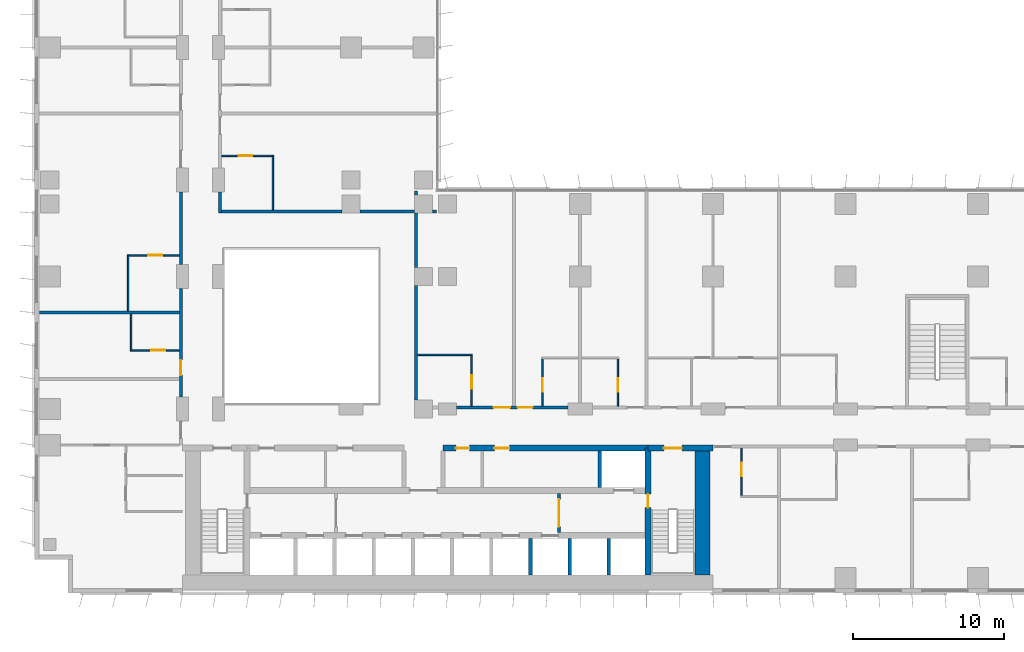
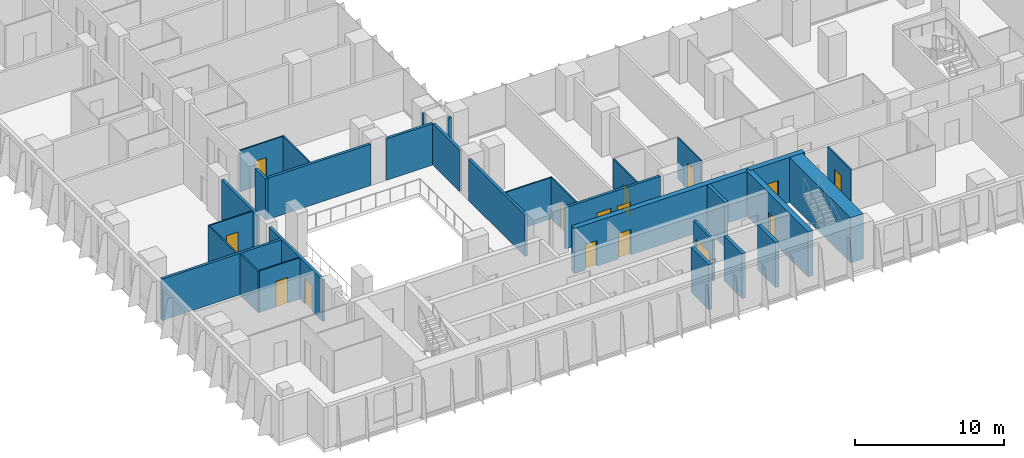
# One storey, part 13 of 24: 31 walls, 15 doors, 15 openings.
"""IFC4 building model written with IfcOpenShell, lengths in metres."""

from ifc_helpers import new_model, si_unit, direction, frame, frame_2d, origin, place, context, subcontext, project, spatial, rectangle, extrude, material, layer, layer_set, type_object, element, fill, save


model = new_model("IFC4")

# Units and contexts
model_context = context("Model", 3, precision=1e-05, world=origin(), true_north=direction((0.0, 1.0)))
body_context = subcontext(model_context, "Body", "Model", "MODEL_VIEW")
ifc_project = project(units=[si_unit("LENGTHUNIT", "METRE"), si_unit("AREAUNIT", "SQUARE_METRE"), si_unit("VOLUMEUNIT", "CUBIC_METRE"), si_unit("PLANEANGLEUNIT", "RADIAN"), si_unit("MASSUNIT", "GRAM", prefix="KILO")], contexts=[model_context])

# Site, building, storey
site_placement = place(None, origin())
site = spatial("IfcSite", under=ifc_project, at=site_placement, CompositionType="ELEMENT")
building_placement = place(site_placement, origin())
building = spatial("IfcBuilding", under=site, at=building_placement, Name="Kemantara Hotel Tower", CompositionType="ELEMENT")
storey_placement = place(building_placement, frame((0.0, 0.0, 59.89990234375)))
storey = spatial("IfcBuildingStorey", under=building, at=storey_placement, Name="L13", CompositionType="ELEMENT", Elevation=59.89990234375)

# Walls
ifc_material_1 = material(Name="Concrete fc 70 MPa", Category="concrete")
ifc_layer_1 = layer(ifc_material_1, 1.0)
ifc_layer_set_1 = layer_set([ifc_layer_1], Name="Concrete fc 70 MPa")
wall_type_1 = type_object("IfcWallType", Name="CORE WALL 1000 FC70", PredefinedType="SHEAR", material=ifc_layer_set_1)
wall_1_placement = place(storey_placement, frame((44.300048828125, 1.199951171875, 0.0), z_axis=(0.0, 0.0, 1.0), x_axis=(0.0, 1.0, 0.0)))
element("IfcWall", 1, at=wall_1_placement, inside=storey, type_object=wall_type_1, Name="CORE WALL CW-E", PredefinedType="SHEAR", context=body_context, shape_type="SweptSolid", body=[
    extrude(rectangle(XDim=8.60009765625, YDim=1.0, at=frame_2d((4.300048828125, 0.0))), origin(), (0.0, 0.0, 1.0), 3.7001953125),
])
ifc_layer_2 = layer(ifc_material_1, 0.25)
ifc_layer_set_2 = layer_set([ifc_layer_2], Name="Concrete fc 70 MPa")
wall_type_2 = type_object("IfcWallType", Name="CORE WALL 250 FC70", PredefinedType="SHEAR", material=ifc_layer_set_2)
for number, where, z_axis, x_axis, name in (
    (2, (32.89990234375, 1.199951171875, 0.0), (0.0, 0.0, 1.0), (0.0, 1.0, 0.0), "CORE WALL CW-DS32.9"),
    (3, (35.5, 1.199951171875, 0.0), (0.0, 0.0, 1.0), (0.0, 1.0, 0.0), "CORE WALL CW-DS35.5"),
    (4, (38.10009765625, 1.199951171875, 0.0), (0.0, 0.0, 1.0), (0.0, 1.0, 0.0), "CORE WALL CW-DS38.1"),
):
    element("IfcWall", number, at=place(storey_placement, frame(where, z_axis=z_axis, x_axis=x_axis)), inside=storey, type_object=wall_type_2, Name=name, PredefinedType="SHEAR", context=body_context, shape_type="SweptSolid", body=[
        extrude(rectangle(XDim=2.400146484375, YDim=0.25, at=frame_2d((1.2001953125, 0.0))), origin(), (0.0, 0.0, 1.0), 3.7001953125),
    ])
wall_2_placement = place(storey_placement, frame((37.5, 7.0, 0.0), z_axis=(0.0, 0.0, 1.0), x_axis=(0.0, 1.0, 0.0)))
element("IfcWall", 5, at=wall_2_placement, inside=storey, type_object=wall_type_2, Name="CORE WALL CW-DN37.5", PredefinedType="SHEAR", context=body_context, shape_type="SweptSolid", body=[
    extrude(rectangle(XDim=2.39990234375, YDim=0.25, at=frame_2d((1.199951171875, 0.0))), origin(), (0.0, 0.0, 1.0), 3.7001953125),
])

# Wall, opening, door
ifc_layer_3 = layer(ifc_material_1, 0.39990234375)
ifc_layer_set_3 = layer_set([ifc_layer_3], Name="Concrete fc 70 MPa")
wall_type_3 = type_object("IfcWallType", Name="CORE WALL 400 FC70", PredefinedType="SHEAR", material=ifc_layer_set_3)
wall_3_placement = place(storey_placement, frame((40.699951171875, 9.60009765625, 0.0), z_axis=(0.0, 0.0, 1.0), x_axis=(1.0, 0.0, 0.0)))
wall_3 = element("IfcWall", 6, at=wall_3_placement, inside=storey, type_object=wall_type_3, Name="CORE WALL CW-N2", PredefinedType="SHEAR", context=body_context, shape_type="SweptSolid", body=[
    extrude(rectangle(XDim=4.300048828125, YDim=0.39990234375, at=frame_2d((2.14990234375, 0.0))), origin(), (0.0, 0.0, 1.0), 3.7001953125),
])
opening_1_placement = place(wall_3_placement, frame((1.050048828125, 0.0, 0.0)))
opening_1 = element("IfcOpeningElement", 7, at=opening_1_placement, cuts=wall_3, Name="Opening C10-ST2-C", PredefinedType="OPENING", context=body_context, shape_type="SweptSolid", body=[
    extrude(rectangle(XDim=1.199951171875, YDim=2.10009765625, at=frame_2d((0.60009765625, 1.050048828125))), frame((0.0, 0.2099609375, 0.0), z_axis=(0.0, -1.0, 0.0), x_axis=(1.0, 0.0, 0.0)), (0.0, 0.0, 1.0), 0.419921875),
])
ifc_material_2 = material(Name="Steel fire door", Category="steel")
door_type_1 = type_object("IfcDoorType", Name="Fire door FD90 1200 x 2100", OperationType="NOTDEFINED", PredefinedType="DOOR", material=ifc_material_2)
door_1_placement = place(opening_1_placement, frame((1.199951171875, 0.0, 0.0), z_axis=(0.0, 0.0, 1.0), x_axis=(-1.0, 0.0, 0.0)))
door_1 = element("IfcDoor", 8, at=door_1_placement, inside=storey, type_object=door_type_1, Name="Stair ST2 door to corridor", OperationType="SINGLE_SWING_RIGHT", OverallHeight=2.10009765625, OverallWidth=1.199951171875, PredefinedType="DOOR", context=body_context, shape_type="SweptSolid", body=[
    extrude(rectangle(XDim=1.199951171875, YDim=2.10009765625, at=frame_2d((0.60009765625, 1.050048828125))), frame((0.0, 0.02490234375, 0.0), z_axis=(0.0, -1.0, 0.0), x_axis=(1.0, 0.0, 0.0)), (0.0, 0.0, 1.0), 0.050048828125),
])
fill(opening_1, door_1)

# Wall, openings, doors
wall_4_placement = place(storey_placement, frame((27.10009765625, 9.60009765625, 0.0), z_axis=(0.0, 0.0, 1.0), x_axis=(1.0, 0.0, 0.0)))
wall_4 = element("IfcWall", 9, at=wall_4_placement, inside=storey, type_object=wall_type_3, Name="CORE WALL CW-NN2", PredefinedType="SHEAR", context=body_context, shape_type="SweptSolid", body=[
    extrude(rectangle(XDim=13.599853515625, YDim=0.39990234375, at=frame_2d((6.7998046875, 0.0))), origin(), (0.0, 0.0, 1.0), 3.7001953125),
])
opening_2_placement = place(wall_4_placement, frame((0.85009765625, 0.0, 0.0)))
opening_2 = element("IfcOpeningElement", 10, at=opening_2_placement, cuts=wall_4, Name="Opening C10-R-NE1", PredefinedType="OPENING", context=body_context, shape_type="SweptSolid", body=[
    extrude(rectangle(XDim=0.89990234375, YDim=2.10009765625, at=frame_2d((0.449951171875, 1.050048828125))), frame((0.0, 0.2099609375, 0.0), z_axis=(0.0, -1.0, 0.0), x_axis=(1.0, 0.0, 0.0)), (0.0, 0.0, 1.0), 0.419921875),
])
opening_3_placement = place(wall_4_placement, frame((3.39990234375, 0.0, 0.0)))
opening_3 = element("IfcOpeningElement", 11, at=opening_3_placement, cuts=wall_4, Name="Opening C10-R-NE2", PredefinedType="OPENING", context=body_context, shape_type="SweptSolid", body=[
    extrude(rectangle(XDim=1.0, YDim=2.10009765625, at=frame_2d((0.5, 1.050048828125))), frame((0.0, 0.2099609375, 0.0), z_axis=(0.0, -1.0, 0.0), x_axis=(1.0, 0.0, 0.0)), (0.0, 0.0, 1.0), 0.419921875),
])
door_type_2 = type_object("IfcDoorType", Name="Fire door FD30S 1000 x 2100", OperationType="NOTDEFINED", PredefinedType="DOOR", material=ifc_material_2)
door_2_placement = place(opening_3_placement, frame((1.0, 0.0, 0.0), z_axis=(0.0, 0.0, 1.0), x_axis=(-1.0, 0.0, 0.0)))
door_2 = element("IfcDoor", 12, at=door_2_placement, inside=storey, type_object=door_type_2, Name="Guest Pantry door", OperationType="SINGLE_SWING_RIGHT", OverallHeight=2.10009765625, OverallWidth=1.0, PredefinedType="DOOR", context=body_context, shape_type="SweptSolid", body=[
    extrude(rectangle(XDim=1.0, YDim=2.10009765625, at=frame_2d((0.5, 1.050048828125))), frame((0.0, 0.02490234375, 0.0), z_axis=(0.0, -1.0, 0.0), x_axis=(1.0, 0.0, 0.0)), (0.0, 0.0, 1.0), 0.050048828125),
])
fill(opening_3, door_2)
door_type_3 = type_object("IfcDoorType", Name="Fire door FD60 900 x 2100", OperationType="NOTDEFINED", PredefinedType="DOOR", material=ifc_material_2)
door_3_placement = place(opening_2_placement, frame((0.89990234375, 0.0, 0.0), z_axis=(0.0, 0.0, 1.0), x_axis=(-1.0, 0.0, 0.0)))
door_3 = element("IfcDoor", 13, at=door_3_placement, inside=storey, type_object=door_type_3, Name="Electrical Riser Room door", OperationType="SINGLE_SWING_RIGHT", OverallHeight=2.10009765625, OverallWidth=0.89990234375, PredefinedType="DOOR", context=body_context, shape_type="SweptSolid", body=[
    extrude(rectangle(XDim=0.89990234375, YDim=2.10009765625, at=frame_2d((0.449951171875, 1.050048828125))), frame((0.0, 0.02490234375, 0.0), z_axis=(0.0, -1.0, 0.0), x_axis=(1.0, 0.0, 0.0)), (0.0, 0.0, 1.0), 0.050048828125),
])
fill(opening_2, door_3)

# Wall, opening, door
wall_5_placement = place(storey_placement, frame((40.699951171875, 1.199951171875, 0.0), z_axis=(0.0, 0.0, 1.0), x_axis=(0.0, 1.0, 0.0)))
wall_5 = element("IfcWall", 14, at=wall_5_placement, inside=storey, type_object=wall_type_3, Name="CORE WALL CW-ST2W", PredefinedType="SHEAR", context=body_context, shape_type="SweptSolid", body=[
    extrude(rectangle(XDim=8.400146484375, YDim=0.39990234375, at=frame_2d((4.2001953125, 0.0))), origin(), (0.0, 0.0, 1.0), 3.7001953125),
])
opening_4_placement = place(wall_5_placement, frame((4.449951171875, 0.0, 0.0)))
opening_4 = element("IfcOpeningElement", 15, at=opening_4_placement, cuts=wall_5, Name="Opening C10-ST2-F", PredefinedType="OPENING", context=body_context, shape_type="SweptSolid", body=[
    extrude(rectangle(XDim=0.89990234375, YDim=2.10009765625, at=frame_2d((0.449951171875, 1.050048828125))), frame((0.0, 0.2099609375, 0.0), z_axis=(0.0, -1.0, 0.0), x_axis=(1.0, 0.0, 0.0)), (0.0, 0.0, 1.0), 0.419921875),
])
door_type_4 = type_object("IfcDoorType", Name="Fire door FD90 900 x 2100", OperationType="NOTDEFINED", PredefinedType="DOOR", material=ifc_material_2)
door_4_placement = place(opening_4_placement, frame((0.89990234375, 0.0, 0.0), z_axis=(0.0, 0.0, 1.0), x_axis=(-1.0, 0.0, 0.0)))
door_4 = element("IfcDoor", 16, at=door_4_placement, inside=storey, type_object=door_type_4, Name="Stair ST2 door to firefighting lobby", OperationType="SINGLE_SWING_LEFT", OverallHeight=2.10009765625, OverallWidth=0.89990234375, PredefinedType="DOOR", context=body_context, shape_type="SweptSolid", body=[
    extrude(rectangle(XDim=0.89990234375, YDim=2.10009765625, at=frame_2d((0.449951171875, 1.050048828125))), frame((0.0, 0.02490234375, 0.0), z_axis=(0.0, -1.0, 0.0), x_axis=(1.0, 0.0, 0.0)), (0.0, 0.0, 1.0), 0.050048828125),
])
fill(opening_4, door_4)

# Wall, openings, doors
ifc_material_3 = material(Name="Gypsum board partition, steel studs and mineral wool, 200 mm", Category="steel")
ifc_layer_4 = layer(ifc_material_3, 0.199951171875)
ifc_layer_set_4 = layer_set([ifc_layer_4], Name="Gypsum board partition, steel studs and mineral wool, 200 mm")
wall_type_4 = type_object("IfcWallType", Name="CORRIDOR WALL 200", PredefinedType="PARTITIONING", material=ifc_layer_set_4)
wall_6_placement = place(storey_placement, frame((28.0, 12.300048828125, 0.0), z_axis=(0.0, 0.0, 1.0), x_axis=(1.0, 0.0, 0.0)))
wall_6 = element("IfcWall", 17, at=wall_6_placement, inside=storey, type_object=wall_type_4, Name="CORRIDOR WALL 200 012", PredefinedType="PARTITIONING", context=body_context, shape_type="SweptSolid", body=[
    extrude(rectangle(XDim=7.39990234375, YDim=0.199951171875, at=frame_2d((3.699951171875, 0.0))), origin(), (0.0, 0.0, 1.0), 3.400146484375),
])
opening_5_placement = place(wall_6_placement, frame((2.449951171875, 0.0, 0.0)))
opening_5 = element("IfcOpeningElement", 18, at=opening_5_placement, cuts=wall_6, Name="Opening F04-011", PredefinedType="OPENING", context=body_context, shape_type="SweptSolid", body=[
    extrude(rectangle(XDim=1.10009765625, YDim=2.10009765625, at=frame_2d((0.550048828125, 1.050048828125))), frame((0.0, 0.10986328125, 0.0), z_axis=(0.0, -1.0, 0.0), x_axis=(1.0, 0.0, 0.0)), (0.0, 0.0, 1.0), 0.219970703125),
])
opening_6_placement = place(wall_6_placement, frame((4.0498046875, 0.0, 0.0)))
opening_6 = element("IfcOpeningElement", 19, at=opening_6_placement, cuts=wall_6, Name="Opening F04-013", PredefinedType="OPENING", context=body_context, shape_type="SweptSolid", body=[
    extrude(rectangle(XDim=1.0, YDim=2.10009765625, at=frame_2d((0.5, 1.050048828125))), frame((0.0, 0.10986328125, 0.0), z_axis=(0.0, -1.0, 0.0), x_axis=(1.0, 0.0, 0.0)), (0.0, 0.0, 1.0), 0.219970703125),
])
ifc_material_4 = material(Name="Hardwood veneer door leaf with steel frame", Category="steel")
door_type_5 = type_object("IfcDoorType", Name="GUEST ROOM DOOR 1000 X 2100 FD30S", OperationType="NOTDEFINED", PredefinedType="DOOR", material=ifc_material_4)
door_5_placement = place(opening_6_placement, origin())
door_5 = element("IfcDoor", 20, at=door_5_placement, inside=storey, type_object=door_type_5, Name="GUEST ROOM DOOR F04-013", OperationType="SINGLE_SWING_LEFT", OverallHeight=2.10009765625, OverallWidth=1.0, PredefinedType="DOOR", context=body_context, shape_type="SweptSolid", body=[
    extrude(rectangle(XDim=1.0, YDim=2.10009765625, at=frame_2d((0.5, 1.050048828125))), frame((0.0, 0.02490234375, 0.0), z_axis=(0.0, -1.0, 0.0), x_axis=(1.0, 0.0, 0.0)), (0.0, 0.0, 1.0), 0.050048828125),
])
fill(opening_6, door_5)
door_type_6 = type_object("IfcDoorType", Name="SUITE ENTRANCE DOOR 1100 X 2100 FD30S", OperationType="NOTDEFINED", PredefinedType="DOOR", material=ifc_material_4)
door_6_placement = place(opening_5_placement, origin())
door_6 = element("IfcDoor", 21, at=door_6_placement, inside=storey, type_object=door_type_6, Name="SUITE ENTRANCE DOOR F04-011", OperationType="SINGLE_SWING_RIGHT", OverallHeight=2.10009765625, OverallWidth=1.10009765625, PredefinedType="DOOR", context=body_context, shape_type="SweptSolid", body=[
    extrude(rectangle(XDim=1.10009765625, YDim=2.10009765625, at=frame_2d((0.550048828125, 1.050048828125))), frame((0.0, 0.02490234375, 0.0), z_axis=(0.0, -1.0, 0.0), x_axis=(1.0, 0.0, 0.0)), (0.0, 0.0, 1.0), 0.050048828125),
])
fill(opening_5, door_6)

# Wall, opening, door
wall_7_placement = place(storey_placement, frame((9.699951171875, 13.0, 0.0), z_axis=(0.0, 0.0, 1.0), x_axis=(0.0, 1.0, 0.0)))
wall_7 = element("IfcWall", 22, at=wall_7_placement, inside=storey, type_object=wall_type_4, Name="CORRIDOR WALL 200 026", PredefinedType="PARTITIONING", context=body_context, shape_type="SweptSolid", body=[
    extrude(rectangle(XDim=7.199951171875, YDim=0.199951171875, at=frame_2d((3.60009765625, 0.0))), origin(), (0.0, 0.0, 1.0), 3.400146484375),
])
opening_7_placement = place(wall_7_placement, frame((1.449951171875, 0.0, 0.0)))
opening_7 = element("IfcOpeningElement", 23, at=opening_7_placement, cuts=wall_7, Name="Opening F04-033", PredefinedType="OPENING", context=body_context, shape_type="SweptSolid", body=[
    extrude(rectangle(XDim=1.0, YDim=2.10009765625, at=frame_2d((0.5, 1.050048828125))), frame((0.0, 0.10986328125, 0.0), z_axis=(0.0, -1.0, 0.0), x_axis=(1.0, 0.0, 0.0)), (0.0, 0.0, 1.0), 0.219970703125),
])
door_7_placement = place(opening_7_placement, origin())
door_7 = element("IfcDoor", 24, at=door_7_placement, inside=storey, type_object=door_type_5, Name="GUEST ROOM DOOR F04-033", OperationType="SINGLE_SWING_LEFT", OverallHeight=2.10009765625, OverallWidth=1.0, PredefinedType="DOOR", context=body_context, shape_type="SweptSolid", body=[
    extrude(rectangle(XDim=1.0, YDim=2.10009765625, at=frame_2d((0.5, 1.050048828125))), frame((0.0, 0.02490234375, 0.0), z_axis=(0.0, -1.0, 0.0), x_axis=(1.0, 0.0, 0.0)), (0.0, 0.0, 1.0), 0.050048828125),
])
fill(opening_7, door_7)

# Walls
wall_8_placement = place(storey_placement, frame((9.699951171875, 21.800048828125, 0.0), z_axis=(0.0, 0.0, 1.0), x_axis=(0.0, 1.0, 0.0)))
element("IfcWall", 25, at=wall_8_placement, inside=storey, type_object=wall_type_4, Name="CORRIDOR WALL 200 027", PredefinedType="PARTITIONING", context=body_context, shape_type="SweptSolid", body=[
    extrude(rectangle(XDim=4.7998046875, YDim=0.199951171875, at=frame_2d((2.39990234375, 0.0))), origin(), (0.0, 0.0, 1.0), 3.400146484375),
])
wall_9_placement = place(storey_placement, frame((12.300048828125, 25.199951171875, 0.0), z_axis=(0.0, 0.0, 1.0), x_axis=(0.0, 1.0, 0.0)))
element("IfcWall", 26, at=wall_9_placement, inside=storey, type_object=wall_type_4, Name="CORRIDOR WALL 200 047", PredefinedType="PARTITIONING", context=body_context, shape_type="SweptSolid", body=[
    extrude(rectangle(XDim=1.39990234375, YDim=0.199951171875, at=frame_2d((0.699951171875, 0.0))), origin(), (0.0, 0.0, 1.0), 3.400146484375),
])
ifc_layer_5 = layer(ifc_material_3, 0.199951171875)
ifc_layer_set_5 = layer_set([ifc_layer_5], Name="Gypsum board partition, steel studs and mineral wool, 200 mm")
wall_type_5 = type_object("IfcWallType", Name="GUEST ROOM PARTY WALL 200", PredefinedType="PARTITIONING", material=ifc_layer_set_5)
wall_10_placement = place(storey_placement, frame((25.300048828125, 12.800048828125, 0.0), z_axis=(0.0, 0.0, 1.0), x_axis=(0.0, 1.0, 0.0)))
element("IfcWall", 27, at=wall_10_placement, inside=storey, type_object=wall_type_5, Name="GUEST ROOM PARTY WALL 200 018", PredefinedType="PARTITIONING", context=body_context, shape_type="SweptSolid", body=[
    extrude(rectangle(XDim=7.599853515625, YDim=0.199951171875, at=frame_2d((3.7998046875, 0.0))), origin(), (0.0, 0.0, 1.0), 3.400146484375),
])
wall_11_placement = place(storey_placement, frame((25.300048828125, 21.60009765625, 0.0), z_axis=(0.0, 0.0, 1.0), x_axis=(0.0, 1.0, 0.0)))
element("IfcWall", 28, at=wall_11_placement, inside=storey, type_object=wall_type_5, Name="GUEST ROOM PARTY WALL 200 019", PredefinedType="PARTITIONING", context=body_context, shape_type="SweptSolid", body=[
    extrude(rectangle(XDim=3.599853515625, YDim=0.199951171875, at=frame_2d((1.7998046875, 0.0))), origin(), (0.0, 0.0, 1.0), 3.400146484375),
])
wall_12_placement = place(storey_placement, frame((25.300048828125, 26.400146484375, 0.0), z_axis=(0.0, 0.0, 1.0), x_axis=(0.0, 1.0, 0.0)))
element("IfcWall", 29, at=wall_12_placement, inside=storey, type_object=wall_type_5, Name="GUEST ROOM PARTY WALL 200 020", PredefinedType="PARTITIONING", context=body_context, shape_type="SweptSolid", body=[
    extrude(rectangle(XDim=0.269775390625, YDim=0.199951171875, at=frame_2d((0.134765625, 0.0))), origin(), (0.0, 0.0, 1.0), 3.400146484375),
])
wall_13_placement = place(storey_placement, frame((0.31005859375, 18.60009765625, 0.0), z_axis=(0.0, 0.0, 1.0), x_axis=(1.0, 0.0, 0.0)))
element("IfcWall", 30, at=wall_13_placement, inside=storey, type_object=wall_type_5, Name="GUEST ROOM PARTY WALL 200 035", PredefinedType="PARTITIONING", context=body_context, shape_type="SweptSolid", body=[
    extrude(rectangle(XDim=9.2900390625, YDim=0.199951171875, at=frame_2d((4.64501953125, 0.0))), origin(), (0.0, 0.0, 1.0), 3.400146484375),
])
wall_14_placement = place(storey_placement, frame((12.39990234375, 25.300048828125, 0.0), z_axis=(0.0, 0.0, 1.0), x_axis=(1.0, 0.0, 0.0)))
element("IfcWall", 31, at=wall_14_placement, inside=storey, type_object=wall_type_5, Name="GUEST ROOM PARTY WALL 200 054", PredefinedType="PARTITIONING", context=body_context, shape_type="SweptSolid", body=[
    extrude(rectangle(XDim=8.0, YDim=0.199951171875, at=frame_2d((4.0, 0.0))), origin(), (0.0, 0.0, 1.0), 3.400146484375),
])
wall_15_placement = place(storey_placement, frame((21.60009765625, 25.300048828125, 0.0), z_axis=(0.0, 0.0, 1.0), x_axis=(1.0, 0.0, 0.0)))
element("IfcWall", 32, at=wall_15_placement, inside=storey, type_object=wall_type_5, Name="GUEST ROOM PARTY WALL 200 055", PredefinedType="PARTITIONING", context=body_context, shape_type="SweptSolid", body=[
    extrude(rectangle(XDim=3.599853515625, YDim=0.199951171875, at=frame_2d((1.7998046875, 0.0))), origin(), (0.0, 0.0, 1.0), 3.400146484375),
])
wall_16_placement = place(storey_placement, frame((26.400146484375, 25.300048828125, 0.0), z_axis=(0.0, 0.0, 1.0), x_axis=(1.0, 0.0, 0.0)))
element("IfcWall", 33, at=wall_16_placement, inside=storey, type_object=wall_type_5, Name="GUEST ROOM PARTY WALL 200 056", PredefinedType="PARTITIONING", context=body_context, shape_type="SweptSolid", body=[
    extrude(rectangle(XDim=0.269775390625, YDim=0.199951171875, at=frame_2d((0.134765625, 0.0))), origin(), (0.0, 0.0, 1.0), 3.400146484375),
])

# Wall, opening, door
ifc_material_5 = material(Name="Gypsum board shaft wall")
ifc_layer_6 = layer(ifc_material_5, 0.199951171875)
ifc_layer_set_6 = layer_set([ifc_layer_6], Name="Gypsum board shaft wall")
wall_type_6 = type_object("IfcWallType", Name="Gypsum board shaft wall 200 mm", PredefinedType="PARTITIONING", material=ifc_layer_set_6)
wall_17_placement = place(storey_placement, frame((34.800048828125, 4.0, 0.0), z_axis=(0.0, 0.0, 1.0), x_axis=(0.0, 1.0, 0.0)))
wall_17 = element("IfcWall", 34, at=wall_17_placement, inside=storey, type_object=wall_type_6, Name="Firefighting lobby partition east", PredefinedType="PARTITIONING", context=body_context, shape_type="SweptSolid", body=[
    extrude(rectangle(XDim=2.60009765625, YDim=0.199951171875, at=frame_2d((1.300048828125, 0.0))), origin(), (0.0, 0.0, 1.0), 3.400146484375),
])
opening_8_placement = place(wall_17_placement, frame((0.39990234375, 0.0, 0.0)))
opening_8 = element("IfcOpeningElement", 35, at=opening_8_placement, cuts=wall_17, Name="Opening C10-FFE", PredefinedType="OPENING", context=body_context, shape_type="SweptSolid", body=[
    extrude(rectangle(XDim=1.800048828125, YDim=2.10009765625, at=frame_2d((0.89990234375, 1.050048828125))), frame((0.0, 0.10986328125, 0.0), z_axis=(0.0, -1.0, 0.0), x_axis=(1.0, 0.0, 0.0)), (0.0, 0.0, 1.0), 0.219970703125),
])
door_type_7 = type_object("IfcDoorType", Name="Fire door pair FD60 1800 x 2100", OperationType="DOUBLE_DOOR_SINGLE_SWING", PredefinedType="DOOR", material=ifc_material_2)
door_8_placement = place(opening_8_placement, frame((1.800048828125, 0.0, 0.0), z_axis=(0.0, 0.0, 1.0), x_axis=(-1.0, 0.0, 0.0)))
door_8 = element("IfcDoor", 36, at=door_8_placement, inside=storey, type_object=door_type_7, Name="Firefighting lobby door east", OperationType="DOUBLE_DOOR_SINGLE_SWING", OverallHeight=2.10009765625, OverallWidth=1.800048828125, PredefinedType="DOOR", context=body_context, shape_type="SweptSolid", body=[
    extrude(rectangle(XDim=1.800048828125, YDim=2.10009765625, at=frame_2d((0.89990234375, 1.050048828125))), frame((0.0, 0.02490234375, 0.0), z_axis=(0.0, -1.0, 0.0), x_axis=(1.0, 0.0, 0.0)), (0.0, 0.0, 1.0), 0.050048828125),
])
fill(opening_8, door_8)

ifc_material_6 = material(Name="Gypsum board partition on steel studs, 100 mm", Category="steel")
ifc_layer_7 = layer(ifc_material_6, 0.10009765625)
ifc_layer_set_7 = layer_set([ifc_layer_7], Name="Gypsum board partition on steel studs, 100 mm")
wall_type_7 = type_object("IfcWallType", Name="ROOM PARTITION 100", PredefinedType="PARTITIONING", material=ifc_layer_set_7)
wall_18_placement = place(storey_placement, frame((46.89990234375, 9.60009765625, 0.0), z_axis=(0.0, 0.0, 1.0), x_axis=(0.0, -1.0, 0.0)))
wall_18 = element("IfcWall", 37, at=wall_18_placement, inside=storey, type_object=wall_type_7, Name="ROOM PARTITION 100 067", PredefinedType="PARTITIONING", context=body_context, shape_type="SweptSolid", body=[
    extrude(rectangle(XDim=3.150146484375, YDim=0.10009765625, at=frame_2d((1.5751953125, 0.0))), origin(), (0.0, 0.0, 1.0), 3.400146484375),
])
opening_9_placement = place(wall_18_placement, frame((0.949951171875, 0.0, 0.0)))
opening_9 = element("IfcOpeningElement", 38, at=opening_9_placement, cuts=wall_18, Name="Opening F04-002", PredefinedType="OPENING", context=body_context, shape_type="SweptSolid", body=[
    extrude(rectangle(XDim=0.89990234375, YDim=2.10009765625, at=frame_2d((0.449951171875, 1.050048828125))), frame((0.0, 0.06005859375, 0.0), z_axis=(0.0, -1.0, 0.0), x_axis=(1.0, 0.0, 0.0)), (0.0, 0.0, 1.0), 0.1201171875),
])
door_type_8 = type_object("IfcDoorType", Name="BATHROOM DOOR 900 X 2100", OperationType="NOTDEFINED", PredefinedType="DOOR", material=ifc_material_4)
door_9_placement = place(opening_9_placement, origin())
door_9 = element("IfcDoor", 39, at=door_9_placement, inside=storey, type_object=door_type_8, Name="BATHROOM DOOR F04-002", OperationType="SINGLE_SWING_LEFT", OverallHeight=2.10009765625, OverallWidth=0.89990234375, PredefinedType="DOOR", context=body_context, shape_type="SweptSolid", body=[
    extrude(rectangle(XDim=0.89990234375, YDim=2.10009765625, at=frame_2d((0.449951171875, 1.050048828125))), frame((0.0, 0.02490234375, 0.0), z_axis=(0.0, -1.0, 0.0), x_axis=(1.0, 0.0, 0.0)), (0.0, 0.0, 1.0), 0.050048828125),
])
fill(opening_9, door_9)

# Wall
wall_19_placement = place(storey_placement, frame((25.39990234375, 15.800048828125, 0.0), z_axis=(0.0, 0.0, 1.0), x_axis=(1.0, 0.0, 0.0)))
element("IfcWall", 40, at=wall_19_placement, inside=storey, type_object=wall_type_7, Name="ROOM PARTITION 100 077", PredefinedType="PARTITIONING", context=body_context, shape_type="SweptSolid", body=[
    extrude(rectangle(XDim=3.650146484375, YDim=0.10009765625, at=frame_2d((1.8251953125, 0.0))), origin(), (0.0, 0.0, 1.0), 3.400146484375),
])

# Wall, opening, door
wall_20_placement = place(storey_placement, frame((29.0, 12.39990234375, 0.0), z_axis=(0.0, 0.0, 1.0), x_axis=(0.0, 1.0, 0.0)))
wall_20 = element("IfcWall", 41, at=wall_20_placement, inside=storey, type_object=wall_type_7, Name="ROOM PARTITION 100 079", PredefinedType="PARTITIONING", context=body_context, shape_type="SweptSolid", body=[
    extrude(rectangle(XDim=3.35009765625, YDim=0.10009765625, at=frame_2d((1.675048828125, 0.0))), origin(), (0.0, 0.0, 1.0), 3.400146484375),
])
opening_10_placement = place(wall_20_placement, frame((1.14990234375, 0.0, 0.0)))
opening_10 = element("IfcOpeningElement", 42, at=opening_10_placement, cuts=wall_20, Name="Opening F04-012", PredefinedType="OPENING", context=body_context, shape_type="SweptSolid", body=[
    extrude(rectangle(XDim=0.89990234375, YDim=2.10009765625, at=frame_2d((0.449951171875, 1.050048828125))), frame((0.0, 0.06005859375, 0.0), z_axis=(0.0, -1.0, 0.0), x_axis=(1.0, 0.0, 0.0)), (0.0, 0.0, 1.0), 0.1201171875),
])
door_10_placement = place(opening_10_placement, origin())
door_10 = element("IfcDoor", 43, at=door_10_placement, inside=storey, type_object=door_type_8, Name="BATHROOM DOOR F04-012", OperationType="SINGLE_SWING_LEFT", OverallHeight=2.10009765625, OverallWidth=0.89990234375, PredefinedType="DOOR", context=body_context, shape_type="SweptSolid", body=[
    extrude(rectangle(XDim=0.89990234375, YDim=2.10009765625, at=frame_2d((0.449951171875, 1.050048828125))), frame((0.0, 0.02490234375, 0.0), z_axis=(0.0, -1.0, 0.0), x_axis=(1.0, 0.0, 0.0)), (0.0, 0.0, 1.0), 0.050048828125),
])
fill(opening_10, door_10)

wall_21_placement = place(storey_placement, frame((33.699951171875, 15.550048828125, 0.0), z_axis=(0.0, 0.0, 1.0), x_axis=(0.0, -1.0, 0.0)))
wall_21 = element("IfcWall", 44, at=wall_21_placement, inside=storey, type_object=wall_type_7, Name="ROOM PARTITION 100 085", PredefinedType="PARTITIONING", context=body_context, shape_type="SweptSolid", body=[
    extrude(rectangle(XDim=3.150146484375, YDim=0.10009765625, at=frame_2d((1.5751953125, 0.0))), origin(), (0.0, 0.0, 1.0), 3.400146484375),
])
opening_11_placement = place(wall_21_placement, frame((1.300048828125, 0.0, 0.0)))
opening_11 = element("IfcOpeningElement", 45, at=opening_11_placement, cuts=wall_21, Name="Opening F04-014", PredefinedType="OPENING", context=body_context, shape_type="SweptSolid", body=[
    extrude(rectangle(XDim=0.89990234375, YDim=2.10009765625, at=frame_2d((0.449951171875, 1.050048828125))), frame((0.0, 0.06005859375, 0.0), z_axis=(0.0, -1.0, 0.0), x_axis=(1.0, 0.0, 0.0)), (0.0, 0.0, 1.0), 0.1201171875),
])
door_11_placement = place(opening_11_placement, origin())
door_11 = element("IfcDoor", 46, at=door_11_placement, inside=storey, type_object=door_type_8, Name="BATHROOM DOOR F04-014", OperationType="SINGLE_SWING_RIGHT", OverallHeight=2.10009765625, OverallWidth=0.89990234375, PredefinedType="DOOR", context=body_context, shape_type="SweptSolid", body=[
    extrude(rectangle(XDim=0.89990234375, YDim=2.10009765625, at=frame_2d((0.449951171875, 1.050048828125))), frame((0.0, 0.02490234375, 0.0), z_axis=(0.0, -1.0, 0.0), x_axis=(1.0, 0.0, 0.0)), (0.0, 0.0, 1.0), 0.050048828125),
])
fill(opening_11, door_11)

wall_22_placement = place(storey_placement, frame((38.699951171875, 12.39990234375, 0.0), z_axis=(0.0, 0.0, 1.0), x_axis=(0.0, 1.0, 0.0)))
wall_22 = element("IfcWall", 47, at=wall_22_placement, inside=storey, type_object=wall_type_7, Name="ROOM PARTITION 100 086", PredefinedType="PARTITIONING", context=body_context, shape_type="SweptSolid", body=[
    extrude(rectangle(XDim=3.150146484375, YDim=0.10009765625, at=frame_2d((1.5751953125, 0.0))), origin(), (0.0, 0.0, 1.0), 3.400146484375),
])
opening_12_placement = place(wall_22_placement, frame((0.949951171875, 0.0, 0.0)))
opening_12 = element("IfcOpeningElement", 48, at=opening_12_placement, cuts=wall_22, Name="Opening F04-016", PredefinedType="OPENING", context=body_context, shape_type="SweptSolid", body=[
    extrude(rectangle(XDim=0.89990234375, YDim=2.10009765625, at=frame_2d((0.449951171875, 1.050048828125))), frame((0.0, 0.06005859375, 0.0), z_axis=(0.0, -1.0, 0.0), x_axis=(1.0, 0.0, 0.0)), (0.0, 0.0, 1.0), 0.1201171875),
])
door_12_placement = place(opening_12_placement, origin())
door_12 = element("IfcDoor", 49, at=door_12_placement, inside=storey, type_object=door_type_8, Name="BATHROOM DOOR F04-016", OperationType="SINGLE_SWING_LEFT", OverallHeight=2.10009765625, OverallWidth=0.89990234375, PredefinedType="DOOR", context=body_context, shape_type="SweptSolid", body=[
    extrude(rectangle(XDim=0.89990234375, YDim=2.10009765625, at=frame_2d((0.449951171875, 1.050048828125))), frame((0.0, 0.02490234375, 0.0), z_axis=(0.0, -1.0, 0.0), x_axis=(1.0, 0.0, 0.0)), (0.0, 0.0, 1.0), 0.050048828125),
])
fill(opening_12, door_12)

# Wall
wall_23_placement = place(storey_placement, frame((6.39990234375, 16.050048828125, 0.0), z_axis=(0.0, 0.0, 1.0), x_axis=(0.0, 1.0, 0.0)))
element("IfcWall", 50, at=wall_23_placement, inside=storey, type_object=wall_type_7, Name="ROOM PARTITION 100 099", PredefinedType="PARTITIONING", context=body_context, shape_type="SweptSolid", body=[
    extrude(rectangle(XDim=2.449951171875, YDim=0.10009765625, at=frame_2d((1.22509765625, 0.0))), origin(), (0.0, 0.0, 1.0), 3.400146484375),
])

# Wall, opening, door
wall_24_placement = place(storey_placement, frame((6.449951171875, 16.10009765625, 0.0), z_axis=(0.0, 0.0, 1.0), x_axis=(1.0, 0.0, 0.0)))
wall_24 = element("IfcWall", 51, at=wall_24_placement, inside=storey, type_object=wall_type_7, Name="ROOM PARTITION 100 102", PredefinedType="PARTITIONING", context=body_context, shape_type="SweptSolid", body=[
    extrude(rectangle(XDim=3.150146484375, YDim=0.10009765625, at=frame_2d((1.5751953125, 0.0))), origin(), (0.0, 0.0, 1.0), 3.400146484375),
])
opening_13_placement = place(wall_24_placement, frame((1.300048828125, 0.0, 0.0)))
opening_13 = element("IfcOpeningElement", 52, at=opening_13_placement, cuts=wall_24, Name="Opening F04-034", PredefinedType="OPENING", context=body_context, shape_type="SweptSolid", body=[
    extrude(rectangle(XDim=0.89990234375, YDim=2.10009765625, at=frame_2d((0.449951171875, 1.050048828125))), frame((0.0, 0.06005859375, 0.0), z_axis=(0.0, -1.0, 0.0), x_axis=(1.0, 0.0, 0.0)), (0.0, 0.0, 1.0), 0.1201171875),
])
door_13_placement = place(opening_13_placement, origin())
door_13 = element("IfcDoor", 53, at=door_13_placement, inside=storey, type_object=door_type_8, Name="BATHROOM DOOR F04-034", OperationType="SINGLE_SWING_RIGHT", OverallHeight=2.10009765625, OverallWidth=0.89990234375, PredefinedType="DOOR", context=body_context, shape_type="SweptSolid", body=[
    extrude(rectangle(XDim=0.89990234375, YDim=2.10009765625, at=frame_2d((0.449951171875, 1.050048828125))), frame((0.0, 0.02490234375, 0.0), z_axis=(0.0, -1.0, 0.0), x_axis=(1.0, 0.0, 0.0)), (0.0, 0.0, 1.0), 0.050048828125),
])
fill(opening_13, door_13)

# Wall
wall_25_placement = place(storey_placement, frame((6.199951171875, 18.699951171875, 0.0), z_axis=(0.0, 0.0, 1.0), x_axis=(0.0, 1.0, 0.0)))
element("IfcWall", 54, at=wall_25_placement, inside=storey, type_object=wall_type_7, Name="ROOM PARTITION 100 103", PredefinedType="PARTITIONING", context=body_context, shape_type="SweptSolid", body=[
    extrude(rectangle(XDim=3.75, YDim=0.10009765625, at=frame_2d((1.875, 0.0))), origin(), (0.0, 0.0, 1.0), 3.400146484375),
])

# Wall, opening, door
wall_26_placement = place(storey_placement, frame((9.60009765625, 22.39990234375, 0.0), z_axis=(0.0, 0.0, 1.0), x_axis=(-1.0, 0.0, 0.0)))
wall_26 = element("IfcWall", 55, at=wall_26_placement, inside=storey, type_object=wall_type_7, Name="ROOM PARTITION 100 105", PredefinedType="PARTITIONING", context=body_context, shape_type="SweptSolid", body=[
    extrude(rectangle(XDim=3.35009765625, YDim=0.10009765625, at=frame_2d((1.675048828125, 0.0))), origin(), (0.0, 0.0, 1.0), 3.400146484375),
])
opening_14_placement = place(wall_26_placement, frame((1.14990234375, 0.0, 0.0)))
opening_14 = element("IfcOpeningElement", 56, at=opening_14_placement, cuts=wall_26, Name="Opening F04-036", PredefinedType="OPENING", context=body_context, shape_type="SweptSolid", body=[
    extrude(rectangle(XDim=0.89990234375, YDim=2.10009765625, at=frame_2d((0.449951171875, 1.050048828125))), frame((0.0, 0.06005859375, 0.0), z_axis=(0.0, -1.0, 0.0), x_axis=(1.0, 0.0, 0.0)), (0.0, 0.0, 1.0), 0.1201171875),
])
door_14_placement = place(opening_14_placement, origin())
door_14 = element("IfcDoor", 57, at=door_14_placement, inside=storey, type_object=door_type_8, Name="BATHROOM DOOR F04-036", OperationType="SINGLE_SWING_LEFT", OverallHeight=2.10009765625, OverallWidth=0.89990234375, PredefinedType="DOOR", context=body_context, shape_type="SweptSolid", body=[
    extrude(rectangle(XDim=0.89990234375, YDim=2.10009765625, at=frame_2d((0.449951171875, 1.050048828125))), frame((0.0, 0.02490234375, 0.0), z_axis=(0.0, -1.0, 0.0), x_axis=(1.0, 0.0, 0.0)), (0.0, 0.0, 1.0), 0.050048828125),
])
fill(opening_14, door_14)

# Wall
wall_27_placement = place(storey_placement, frame((15.800048828125, 25.39990234375, 0.0), z_axis=(0.0, 0.0, 1.0), x_axis=(0.0, 1.0, 0.0)))
element("IfcWall", 58, at=wall_27_placement, inside=storey, type_object=wall_type_7, Name="ROOM PARTITION 100 118", PredefinedType="PARTITIONING", context=body_context, shape_type="SweptSolid", body=[
    extrude(rectangle(XDim=3.650146484375, YDim=0.10009765625, at=frame_2d((1.8251953125, 0.0))), origin(), (0.0, 0.0, 1.0), 3.400146484375),
])

# Wall, opening, door
wall_28_placement = place(storey_placement, frame((15.75, 29.0, 0.0), z_axis=(0.0, 0.0, 1.0), x_axis=(-1.0, 0.0, 0.0)))
wall_28 = element("IfcWall", 59, at=wall_28_placement, inside=storey, type_object=wall_type_7, Name="ROOM PARTITION 100 119", PredefinedType="PARTITIONING", context=body_context, shape_type="SweptSolid", body=[
    extrude(rectangle(XDim=3.35009765625, YDim=0.10009765625, at=frame_2d((1.675048828125, 0.0))), origin(), (0.0, 0.0, 1.0), 3.400146484375),
])
opening_15_placement = place(wall_28_placement, frame((1.300048828125, 0.0, 0.0)))
opening_15 = element("IfcOpeningElement", 60, at=opening_15_placement, cuts=wall_28, Name="Opening F04-050", PredefinedType="OPENING", context=body_context, shape_type="SweptSolid", body=[
    extrude(rectangle(XDim=0.89990234375, YDim=2.10009765625, at=frame_2d((0.449951171875, 1.050048828125))), frame((0.0, 0.06005859375, 0.0), z_axis=(0.0, -1.0, 0.0), x_axis=(1.0, 0.0, 0.0)), (0.0, 0.0, 1.0), 0.1201171875),
])
door_15_placement = place(opening_15_placement, origin())
door_15 = element("IfcDoor", 61, at=door_15_placement, inside=storey, type_object=door_type_8, Name="BATHROOM DOOR F04-050", OperationType="SINGLE_SWING_RIGHT", OverallHeight=2.10009765625, OverallWidth=0.89990234375, PredefinedType="DOOR", context=body_context, shape_type="SweptSolid", body=[
    extrude(rectangle(XDim=0.89990234375, YDim=2.10009765625, at=frame_2d((0.449951171875, 1.050048828125))), frame((0.0, 0.02490234375, 0.0), z_axis=(0.0, -1.0, 0.0), x_axis=(1.0, 0.0, 0.0)), (0.0, 0.0, 1.0), 0.050048828125),
])
fill(opening_15, door_15)

save(model, "model.ifc")
